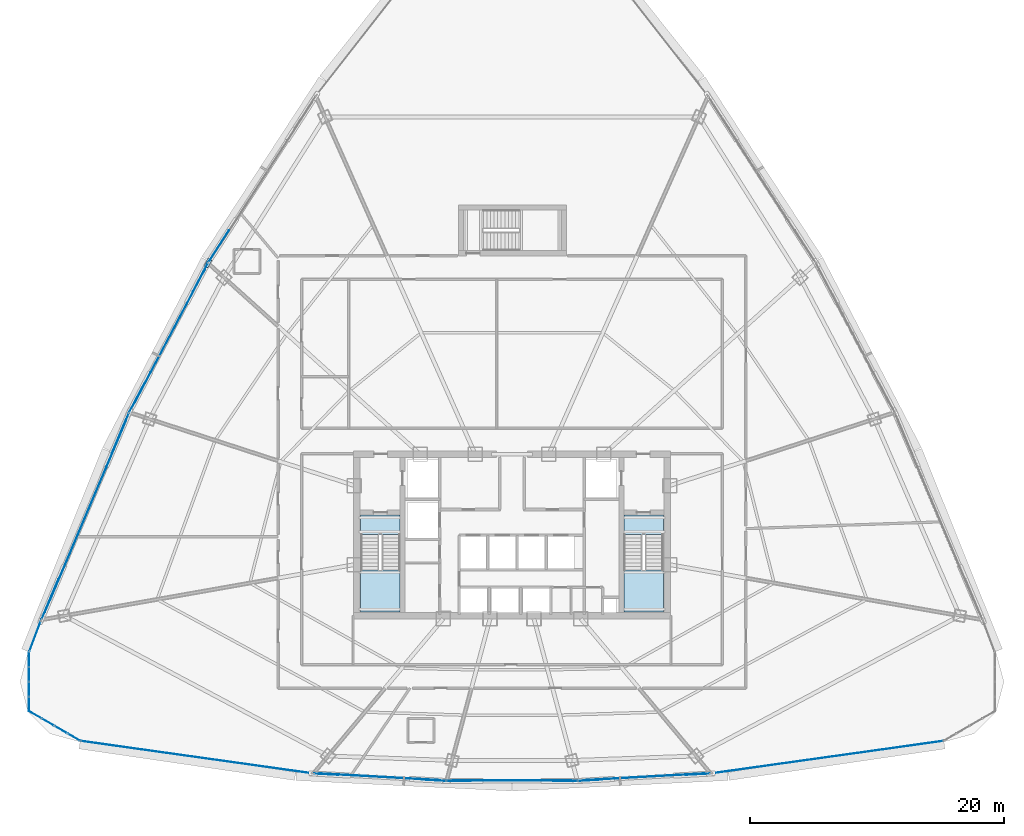
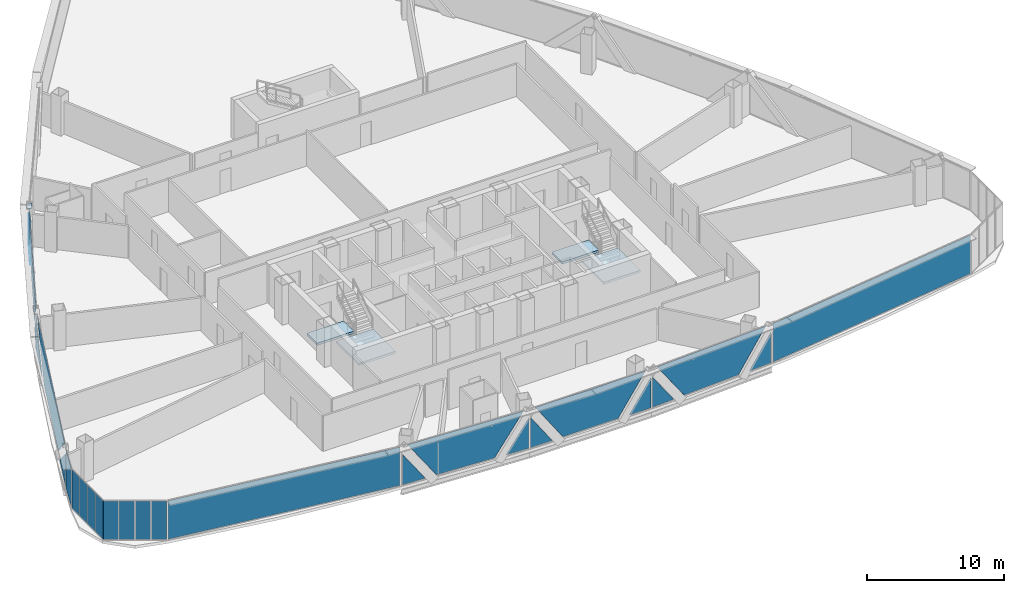
# One storey, part 27 of 38: 28 plates, 4 slabs, 13 elements without a shape of their own.
"""IFC4 building model written with IfcOpenShell, lengths in metres."""

from ifc_helpers import new_model, si_unit, direction, frame, origin, origin_2d, place, context, subcontext, project, spatial, polyline, rectangle, outline, extrude, source, transform, mapped, material, layer, layer_set, type_object, element, aggregate, save


model = new_model("IFC4")

# Units and contexts
model_context = context("Model", 3, precision=1e-05, world=origin(), true_north=direction((0.0, 1.0)))
body_context = subcontext(model_context, "Body", "Model", "MODEL_VIEW")
ifc_project = project(units=[si_unit("LENGTHUNIT", "METRE"), si_unit("AREAUNIT", "SQUARE_METRE"), si_unit("VOLUMEUNIT", "CUBIC_METRE"), si_unit("PLANEANGLEUNIT", "RADIAN"), si_unit("MASSUNIT", "GRAM", prefix="KILO"), si_unit("THERMODYNAMICTEMPERATUREUNIT", "KELVIN"), si_unit("POWERUNIT", "WATT")], contexts=[model_context])

# Site, building, storey
site_placement = place(None, origin())
site = spatial("IfcSite", under=ifc_project, at=site_placement, CompositionType="ELEMENT")
building_placement = place(site_placement, origin())
building = spatial("IfcBuilding", under=site, at=building_placement, Name="Yunzhuo Pagoda Commons", CompositionType="ELEMENT")
storey_placement = place(building_placement, frame((0.0, 0.0, 203.760009765625)))
storey = spatial("IfcBuildingStorey", under=building, at=storey_placement, Name="L51", CompositionType="ELEMENT", Elevation=203.760009765625)

# Curtain wall, plates
ifc_material_1 = material(Name="Anodized aluminium 6063-T6", Category="aluminium")
ifc_layer_1 = layer(ifc_material_1, 0.14990234375)
ifc_layer_set_1 = layer_set([ifc_layer_1], Name="Anodized aluminium 6063-T6")
curtain_wall_type_1 = type_object("IfcCurtainWallType", Name="CW-MID Mid-Zone Ribbon Curtain Wall", PredefinedType="NOTDEFINED", material=ifc_layer_set_1)
curtain_wall_1_placement = place(storey_placement, origin())
curtain_wall_1 = element("IfcCurtainWall", 1, at=curtain_wall_1_placement, inside=storey, type_object=curtain_wall_type_1, Name="L51 curtain wall CW-L51-F1B2", PredefinedType="NOTDEFINED")
ifc_material_2 = material(Name="Tempered low-e double glazing", Category="glass")
ifc_layer_2 = layer(ifc_material_2, 0.028076171875)
ifc_layer_set_2 = layer_set([ifc_layer_2], Name="Tempered low-e double glazing")
plate_type_1 = type_object("IfcPlateType", Name="CW-MID-P Low-E Double Glazing 28", PredefinedType="CURTAIN_PANEL", material=ifc_layer_set_2)
plate_1_placement = place(storey_placement, frame((33.379150390625, 15.04052734375, 1.419677734375), z_axis=(-0.055819443993, -0.998440879408, 0.0), x_axis=(0.998440879408, -0.055819443993, 0.0)))
plate_1 = element("IfcPlate", 2, at=plate_1_placement, type_object=plate_type_1, Name="CW panel 1.1 lite 1", PredefinedType="CURTAIN_PANEL", context=body_context, shape_type="SweptSolid", body=[
    extrude(outline(polyline([(-0.94189453125, -1.364501953125), (0.94189453125, -1.364501953125), (-0.94189453125, 1.364501953125), (-0.94189453125, -1.364501953125)])), origin(), (0.0, 0.0, 1.0), 0.028076171875),
])
plate_2_placement = place(storey_placement, frame((37.61865234375, 14.83349609375, 1.77001953125), z_axis=(-0.055819443993, -0.998440879408, 0.0), x_axis=(0.998440879408, -0.055819443993, 0.0)))
plate_2 = element("IfcPlate", 3, at=plate_2_placement, type_object=plate_type_1, Name="CW panel 1.1 lite 2", PredefinedType="CURTAIN_PANEL", context=body_context, shape_type="SweptSolid", body=[
    extrude(outline(polyline([(-4.74658203125, 1.715087890625), (-2.37890625, -1.715087890625), (2.37890625, -1.715087890625), (4.74658203125, 1.715087890625), (-4.74658203125, 1.715087890625)])), origin(), (0.0, 0.0, 1.0), 0.028076171875),
])
plate_3_placement = place(storey_placement, frame((41.854736328125, 14.566650390625, 1.419677734375), z_axis=(-0.055819443993, -0.998440879408, 0.0), x_axis=(0.998440879408, -0.055819443993, 0.0)))
plate_3 = element("IfcPlate", 4, at=plate_3_placement, type_object=plate_type_1, Name="CW panel 1.1 lite 3", PredefinedType="CURTAIN_PANEL", context=body_context, shape_type="SweptSolid", body=[
    extrude(outline(polyline([(-0.94189453125, -1.364501953125), (0.94189453125, -1.364501953125), (0.94189453125, 1.364501953125), (-0.94189453125, -1.364501953125)])), origin(), (0.0, 0.0, 1.0), 0.028076171875),
])
aggregate(curtain_wall_1, [plate_1, plate_2, plate_3])

curtain_wall_2_placement = place(storey_placement, origin())
curtain_wall_2 = element("IfcCurtainWall", 5, at=curtain_wall_2_placement, inside=storey, type_object=curtain_wall_type_1, Name="L51 curtain wall CW-L51-F1B3", PredefinedType="NOTDEFINED")
plate_4_placement = place(storey_placement, frame((43.834716796875, 14.5107421875, 1.414306640625), z_axis=(0.0, -1.0, 0.0), x_axis=(1.0, 0.0, 0.0)))
plate_4 = element("IfcPlate", 6, at=plate_4_placement, type_object=plate_type_1, Name="CW panel 1.1 lite 1", PredefinedType="CURTAIN_PANEL", context=body_context, shape_type="SweptSolid", body=[
    extrude(outline(polyline([(-0.92041015625, -1.359375), (0.92041015625, -1.359375), (-0.92041015625, 1.359375), (-0.92041015625, -1.359375)])), origin(), (0.0, 0.0, 1.0), 0.028076171875),
])
plate_5_placement = place(storey_placement, frame((48.0, 14.541015625, 1.77001953125), z_axis=(0.0, -1.0, 0.0), x_axis=(1.0, 0.0, 0.0)))
plate_5 = element("IfcPlate", 7, at=plate_5_placement, type_object=plate_type_1, Name="CW panel 1.1 lite 2", PredefinedType="CURTAIN_PANEL", context=body_context, shape_type="SweptSolid", body=[
    extrude(outline(polyline([(-4.6494140625, 1.715087890625), (-2.3271484375, -1.715087890625), (2.3271484375, -1.715087890625), (4.6494140625, 1.715087890625), (-4.6494140625, 1.715087890625)])), origin(), (0.0, 0.0, 1.0), 0.028076171875),
])
plate_6_placement = place(storey_placement, frame((52.165283203125, 14.5107421875, 1.414306640625), z_axis=(0.0, -1.0, 0.0), x_axis=(1.0, 0.0, 0.0)))
plate_6 = element("IfcPlate", 8, at=plate_6_placement, type_object=plate_type_1, Name="CW panel 1.1 lite 3", PredefinedType="CURTAIN_PANEL", context=body_context, shape_type="SweptSolid", body=[
    extrude(outline(polyline([(-0.92041015625, -1.359375), (0.92041015625, -1.359375), (0.92041015625, 1.359375), (-0.92041015625, -1.359375)])), origin(), (0.0, 0.0, 1.0), 0.028076171875),
])
aggregate(curtain_wall_2, [plate_4, plate_5, plate_6])

curtain_wall_3_placement = place(storey_placement, origin())
curtain_wall_3 = element("IfcCurtainWall", 9, at=curtain_wall_3_placement, inside=storey, type_object=curtain_wall_type_1, Name="L51 curtain wall CW-L51-F1B4", PredefinedType="NOTDEFINED")
plate_7_placement = place(storey_placement, frame((54.145263671875, 14.566650390625, 1.419677734375), z_axis=(0.055819443993, -0.998440879408, 0.0), x_axis=(0.998440879408, 0.055819443993, 0.0)))
plate_7 = element("IfcPlate", 10, at=plate_7_placement, type_object=plate_type_1, Name="CW panel 1.1 lite 1", PredefinedType="CURTAIN_PANEL", context=body_context, shape_type="SweptSolid", body=[
    extrude(outline(polyline([(-0.94189453125, -1.364501953125), (0.94189453125, -1.364501953125), (-0.94189453125, 1.364501953125), (-0.94189453125, -1.364501953125)])), origin(), (0.0, 0.0, 1.0), 0.028076171875),
])
plate_8_placement = place(storey_placement, frame((58.38134765625, 14.83349609375, 1.77001953125), z_axis=(0.055819443993, -0.998440879408, 0.0), x_axis=(0.998440879408, 0.055819443993, 0.0)))
plate_8 = element("IfcPlate", 11, at=plate_8_placement, type_object=plate_type_1, Name="CW panel 1.1 lite 2", PredefinedType="CURTAIN_PANEL", context=body_context, shape_type="SweptSolid", body=[
    extrude(outline(polyline([(-4.74658203125, 1.715087890625), (-2.37890625, -1.715087890625), (2.37890625, -1.715087890625), (4.74658203125, 1.715087890625), (-4.74658203125, 1.715087890625)])), origin(), (0.0, 0.0, 1.0), 0.028076171875),
])
plate_9_placement = place(storey_placement, frame((62.620849609375, 15.04052734375, 1.419677734375), z_axis=(0.055819443993, -0.998440879408, 0.0), x_axis=(0.998440879408, 0.055819443993, 0.0)))
plate_9 = element("IfcPlate", 12, at=plate_9_placement, type_object=plate_type_1, Name="CW panel 1.1 lite 3", PredefinedType="CURTAIN_PANEL", context=body_context, shape_type="SweptSolid", body=[
    extrude(outline(polyline([(-0.94189453125, -1.364501953125), (0.94189453125, -1.364501953125), (0.94189453125, 1.364501953125), (-0.94189453125, -1.364501953125)])), origin(), (0.0, 0.0, 1.0), 0.028076171875),
])
aggregate(curtain_wall_3, [plate_7, plate_8, plate_9])

# Curtain wall, plate
curtain_wall_4_placement = place(storey_placement, origin())
curtain_wall_4 = element("IfcCurtainWall", 13, at=curtain_wall_4_placement, inside=storey, type_object=curtain_wall_type_1, Name="L51 curtain wall CW-L51-F3B2", PredefinedType="NOTDEFINED")
plate_10_placement = place(storey_placement, frame((24.939208984375, 56.525146484375, 1.503173828125), z_axis=(-0.839965077478, 0.542640459805, 0.0), x_axis=(-0.542640459805, -0.839965077478, 0.0)))
plate_10 = element("IfcPlate", 14, at=plate_10_placement, type_object=plate_type_1, Name="CW panel 1.1 lite 3", PredefinedType="CURTAIN_PANEL", context=body_context, shape_type="SweptSolid", body=[
    extrude(outline(polyline([(-1.4892578125, -1.4482421875), (1.4892578125, -1.4482421875), (1.4892578125, 1.4482421875), (-1.4892578125, -1.4482421875)])), origin(), (0.0, 0.0, 1.0), 0.028076171875),
])
aggregate(curtain_wall_4, [plate_10])

# Curtain wall, plates
curtain_wall_5_placement = place(storey_placement, origin())
curtain_wall_5 = element("IfcCurtainWall", 15, at=curtain_wall_5_placement, inside=storey, type_object=curtain_wall_type_1, Name="L51 curtain wall CW-L51-F3B3", PredefinedType="NOTDEFINED")
plate_11_placement = place(storey_placement, frame((23.492919921875, 54.07470703125, 1.474365234375), z_axis=(-0.884591690585, 0.466366316267, 0.0), x_axis=(-0.466366316267, -0.884591690585, 0.0)))
plate_11 = element("IfcPlate", 16, at=plate_11_placement, type_object=plate_type_1, Name="CW panel 1.1 lite 1", PredefinedType="CURTAIN_PANEL", context=body_context, shape_type="SweptSolid", body=[
    extrude(outline(polyline([(-1.240234375, -1.41943359375), (1.240234375, -1.41943359375), (-1.240234375, 1.41943359375), (-1.240234375, -1.41943359375)])), origin(), (0.0, 0.0, 1.0), 0.028076171875),
])
plate_12_placement = place(storey_placement, frame((21.028564453125, 49.33642578125, 1.77001953125), z_axis=(-0.884591690585, 0.466366316267, 0.0), x_axis=(-0.466366316267, -0.884591690585, 0.0)))
plate_12 = element("IfcPlate", 17, at=plate_12_placement, type_object=plate_type_1, Name="CW panel 1.1 lite 2", PredefinedType="CURTAIN_PANEL", context=body_context, shape_type="SweptSolid", body=[
    extrude(outline(polyline([(-6.088134765625, 1.715087890625), (-3.091064453125, -1.715087890625), (3.091064453125, -1.715087890625), (6.088134765625, 1.715087890625), (-6.088134765625, 1.715087890625)])), origin(), (0.0, 0.0, 1.0), 0.028076171875),
])
plate_13_placement = place(storey_placement, frame((18.511474609375, 44.626220703125, 1.474365234375), z_axis=(-0.884591690585, 0.466366316267, 0.0), x_axis=(-0.466366316267, -0.884591690585, 0.0)))
plate_13 = element("IfcPlate", 18, at=plate_13_placement, type_object=plate_type_1, Name="CW panel 1.1 lite 3", PredefinedType="CURTAIN_PANEL", context=body_context, shape_type="SweptSolid", body=[
    extrude(outline(polyline([(-1.240234375, -1.41943359375), (1.240234375, -1.41943359375), (1.240234375, 1.41943359375), (-1.240234375, -1.41943359375)])), origin(), (0.0, 0.0, 1.0), 0.028076171875),
])
aggregate(curtain_wall_5, [plate_11, plate_12, plate_13])

curtain_wall_6_placement = place(storey_placement, origin())
curtain_wall_6 = element("IfcCurtainWall", 19, at=curtain_wall_6_placement, inside=storey, type_object=curtain_wall_type_1, Name="L51 curtain wall CW-L51-F3B4", PredefinedType="NOTDEFINED")
plate_14_placement = place(storey_placement, frame((17.2158203125, 41.8486328125, 1.521484375), z_axis=(-0.920824274127, 0.389977763697, 0.0), x_axis=(-0.389977763697, -0.920824274127, 0.0)))
plate_14 = element("IfcPlate", 20, at=plate_14_placement, type_object=plate_type_1, Name="CW panel 1.1 lite 1", PredefinedType="CURTAIN_PANEL", context=body_context, shape_type="SweptSolid", body=[
    extrude(outline(polyline([(-1.708740234375, -1.46630859375), (1.708740234375, -1.46630859375), (-1.708740234375, 1.46630859375), (-1.708740234375, -1.46630859375)])), origin(), (0.0, 0.0, 1.0), 0.028076171875),
])
plate_15_placement = place(storey_placement, frame((14.479736328125, 35.310791015625, 1.77001953125), z_axis=(-0.920824274127, 0.389977763697, 0.0), x_axis=(-0.389977763697, -0.920824274127, 0.0)))
plate_15 = element("IfcPlate", 21, at=plate_15_placement, type_object=plate_type_1, Name="CW panel 1.1 lite 2", PredefinedType="CURTAIN_PANEL", context=body_context, shape_type="SweptSolid", body=[
    extrude(outline(polyline([(-8.208251953125, 1.715087890625), (-4.21142578125, -1.715087890625), (4.21142578125, -1.715087890625), (8.208251953125, 1.715087890625), (-8.208251953125, 1.715087890625)])), origin(), (0.0, 0.0, 1.0), 0.028076171875),
])
plate_16_placement = place(storey_placement, frame((11.688232421875, 28.796630859375, 1.521484375), z_axis=(-0.920824274127, 0.389977763697, 0.0), x_axis=(-0.389977763697, -0.920824274127, 0.0)))
plate_16 = element("IfcPlate", 22, at=plate_16_placement, type_object=plate_type_1, Name="CW panel 1.1 lite 3", PredefinedType="CURTAIN_PANEL", context=body_context, shape_type="SweptSolid", body=[
    extrude(outline(polyline([(-1.708740234375, -1.46630859375), (1.708740234375, -1.46630859375), (1.708740234375, 1.46630859375), (-1.708740234375, -1.46630859375)])), origin(), (0.0, 0.0, 1.0), 0.028076171875),
])
aggregate(curtain_wall_6, [plate_14, plate_15, plate_16])

# Stair, slabs
ifc_material_3 = material(Name="Concrete C40", Category="concrete")
stair_type_1 = type_object("IfcStairType", Name="ST-C1 Core Smokeproof Stair ST1", PredefinedType="HALF_TURN_STAIR", material=ifc_material_3)
stair_1_placement = place(storey_placement, origin())
stair_1 = element("IfcStair", 23, at=stair_1_placement, inside=storey, type_object=stair_type_1, Name="L51 Core smokeproof stair ST1", PredefinedType="HALF_TURN_STAIR")
ifc_layer_3 = layer(ifc_material_3, 0.199951171875)
ifc_layer_set_3 = layer_set([ifc_layer_3], Name="Concrete C40")
slab_type_1 = type_object("IfcSlabType", Name="SL-LND1 Stair Landing Slab 200", PredefinedType="LANDING", material=ifc_layer_set_3)
slab_1_placement = place(storey_placement, frame((0.0, 0.0, 1.699951171875)))
slab_1 = element("IfcSlab", 24, at=slab_1_placement, type_object=slab_type_1, Name="ST1 landing 1", PredefinedType="LANDING", context=body_context, shape_type="SweptSolid", body=[
    extrude(outline(polyline([(36.10009765625, 31.10009765625), (36.10009765625, 27.800048828125), (39.199951171875, 27.800048828125), (39.199951171875, 31.10009765625), (36.10009765625, 31.10009765625)])), origin(), (0.0, 0.0, 1.0), 0.199951171875),
])
slab_2_placement = place(storey_placement, frame((0.0, 0.0, -0.199951171875)))
slab_2 = element("IfcSlab", 25, at=slab_2_placement, type_object=slab_type_1, Name="ST1 floor landing L51", PredefinedType="LANDING", context=body_context, shape_type="SweptSolid", body=[
    extrude(outline(polyline([(36.10009765625, 35.39990234375), (36.10009765625, 33.89990234375), (39.199951171875, 33.89990234375), (39.199951171875, 35.39990234375), (36.10009765625, 35.39990234375)])), origin(), (0.0, 0.0, 1.0), 0.199951171875),
])
aggregate(stair_1, [slab_1, slab_2])

stair_type_2 = type_object("IfcStairType", Name="ST-C2 Core Smokeproof Stair ST2", PredefinedType="HALF_TURN_STAIR", material=ifc_material_3)
stair_2_placement = place(storey_placement, origin())
stair_2 = element("IfcStair", 26, at=stair_2_placement, inside=storey, type_object=stair_type_2, Name="L51 Core smokeproof stair ST2", PredefinedType="HALF_TURN_STAIR")
ifc_layer_4 = layer(ifc_material_3, 0.201904296875)
ifc_layer_set_4 = layer_set([ifc_layer_4], Name="Concrete C40")
slab_type_2 = type_object("IfcSlabType", Name="SL-LND2 Stair Landing Slab 202", PredefinedType="LANDING", material=ifc_layer_set_4)
slab_3_placement = place(storey_placement, frame((0.0, 0.0, 1.699951171875)))
slab_3 = element("IfcSlab", 27, at=slab_3_placement, type_object=slab_type_2, Name="ST2 landing 1", PredefinedType="LANDING", context=body_context, shape_type="SweptSolid", body=[
    extrude(outline(polyline([(56.800048828125, 31.10009765625), (56.800048828125, 27.800048828125), (59.89990234375, 27.800048828125), (59.89990234375, 31.10009765625), (56.800048828125, 31.10009765625)])), origin(), (0.0, 0.0, 1.0), 0.199951171875),
])
slab_4_placement = place(storey_placement, frame((0.0, 0.0, -0.199951171875)))
slab_4 = element("IfcSlab", 28, at=slab_4_placement, type_object=slab_type_2, Name="ST2 floor landing L51", PredefinedType="LANDING", context=body_context, shape_type="SweptSolid", body=[
    extrude(outline(polyline([(56.800048828125, 35.39990234375), (56.800048828125, 33.89990234375), (59.89990234375, 33.89990234375), (59.89990234375, 35.39990234375), (56.800048828125, 35.39990234375)])), origin(), (0.0, 0.0, 1.0), 0.199951171875),
])
aggregate(stair_2, [slab_3, slab_4])

# Plate
ifc_material_4 = material(Name="Structural steel Q355B", Category="steel")
ifc_layer_5 = layer(ifc_material_4, 0.028076171875)
ifc_layer_set_5 = layer_set([ifc_layer_5], Name="Structural steel Q355B")
plate_type_2 = type_object("IfcPlateType", Name="SP-ND1 Lattice Node Cap Plate 800x500x28", PredefinedType="USERDEFINED", material=ifc_layer_set_5)
shared_shape_1 = source(origin(), body_context, "Body", "SweptSolid", [
    extrude(rectangle(XDim=0.699951171875, YDim=0.35009765625, at=origin_2d()), origin(), (0.0, 0.0, 1.0), 0.035888671875),
])
plate_17_placement = place(storey_placement, frame((24.0869140625, 55.2314453125, 3.501953125), z_axis=(0.0, 0.0, 1.0), x_axis=(-0.466371201418, -0.884589115063, 0.0)))
element("IfcPlate", 29, at=plate_17_placement, inside=storey, type_object=plate_type_2, Name="L51 setback lattice tie plate F3.2L", ObjectType="STIFFENER_PLATE", PredefinedType="USERDEFINED", context=body_context, shape_type="MappedRepresentation", body=[
    mapped(shared_shape_1, transform((0.0, 0.0, 0.0), scale=1.0)),
])

# Curtain wall, plate
curtain_wall_7_placement = place(storey_placement, origin())
curtain_wall_7 = element("IfcCurtainWall", 30, at=curtain_wall_7_placement, inside=storey, type_object=curtain_wall_type_1, Name="L51 curtain wall CW-L51-F1B1", PredefinedType="NOTDEFINED")
shared_shape_2 = source(origin(), body_context, "Body", "SweptSolid", [
    extrude(rectangle(XDim=18.3125, YDim=0.028076171875, at=origin_2d()), origin(), (0.0, 0.0, 1.0), 3.429931640625),
])
plate_18_placement = place(storey_placement, frame((23.1767578125, 16.372314453125, 0.05517578125), z_axis=(0.0, 0.0, 1.0), x_axis=(0.990317700531, -0.138819494362, 0.0)))
plate_18 = element("IfcPlate", 31, at=plate_18_placement, type_object=plate_type_1, Name="CW panel 1.1", PredefinedType="CURTAIN_PANEL", context=body_context, shape_type="MappedRepresentation", body=[
    mapped(shared_shape_2, transform((0.0, 0.0, 0.0), scale=1.0)),
])
aggregate(curtain_wall_7, [plate_18])

curtain_wall_8_placement = place(storey_placement, origin())
curtain_wall_8 = element("IfcCurtainWall", 32, at=curtain_wall_8_placement, inside=storey, type_object=curtain_wall_type_1, Name="L51 curtain wall CW-L51-F1B5", PredefinedType="NOTDEFINED")
plate_19_placement = place(storey_placement, frame((72.8232421875, 16.372314453125, 0.05517578125), z_axis=(0.0, 0.0, 1.0), x_axis=(0.990317700531, 0.138819494362, 0.0)))
plate_19 = element("IfcPlate", 33, at=plate_19_placement, type_object=plate_type_1, Name="CW panel 1.1", PredefinedType="CURTAIN_PANEL", context=body_context, shape_type="MappedRepresentation", body=[
    mapped(shared_shape_2, transform((0.0, 0.0, 0.0), scale=1.0)),
])
aggregate(curtain_wall_8, [plate_19])

curtain_wall_9_placement = place(storey_placement, origin())
curtain_wall_9 = element("IfcCurtainWall", 34, at=curtain_wall_9_placement, inside=storey, type_object=curtain_wall_type_1, Name="L51 curtain wall CW-L51-F3B5", PredefinedType="NOTDEFINED")
shared_shape_3 = source(origin(), body_context, "Body", "SweptSolid", [
    extrude(rectangle(XDim=2.50048828125, YDim=0.028076171875, at=origin_2d()), origin(), (0.0, 0.0, 1.0), 3.429931640625),
])
plate_20_placement = place(storey_placement, frame((10.494384765625, 25.878173828125, 0.05517578125), z_axis=(0.0, 0.0, 1.0), x_axis=(-0.354558749116, -0.935033739191, 0.0)))
plate_20 = element("IfcPlate", 35, at=plate_20_placement, type_object=plate_type_1, Name="CW panel 1.1", PredefinedType="CURTAIN_PANEL", context=body_context, shape_type="MappedRepresentation", body=[
    mapped(shared_shape_3, transform((0.0, 0.0, 0.0), scale=1.0)),
])
aggregate(curtain_wall_9, [plate_20])

# Curtain wall, plates
ifc_layer_6 = layer(ifc_material_1, 0.1298828125)
ifc_layer_set_6 = layer_set([ifc_layer_6], Name="Anodized aluminium 6063-T6")
curtain_wall_type_2 = type_object("IfcCurtainWallType", Name="CW-VTX Rounded Corner Curtain Wall", PredefinedType="NOTDEFINED", material=ifc_layer_set_6)
curtain_wall_10_placement = place(storey_placement, origin())
curtain_wall_10 = element("IfcCurtainWall", 36, at=curtain_wall_10_placement, inside=storey, type_object=curtain_wall_type_2, Name="L51 curtain wall CW-L51-VTX1S1", PredefinedType="NOTDEFINED")
ifc_layer_7 = layer(ifc_material_2, 0.02587890625)
ifc_layer_set_7 = layer_set([ifc_layer_7], Name="Tempered low-e double glazing")
plate_type_3 = type_object("IfcPlateType", Name="CW-VTX-P Low-E Double Glazing 26", PredefinedType="CURTAIN_PANEL", material=ifc_layer_set_7)
shared_shape_4 = source(origin(), body_context, "Body", "SweptSolid", [
    extrude(rectangle(XDim=1.09521484375, YDim=0.028076171875, at=origin_2d()), origin(), (0.0, 0.0, 1.0), 3.429931640625),
])
plate_21_placement = place(storey_placement, frame((10.027587890625, 24.050537109375, 0.05517578125), z_axis=(0.0, 0.0, 1.0), x_axis=(-0.00358763029, -0.999993564434, 0.0)))
plate_21 = element("IfcPlate", 37, at=plate_21_placement, type_object=plate_type_3, Name="CW panel 1.1", PredefinedType="CURTAIN_PANEL", context=body_context, shape_type="MappedRepresentation", body=[
    mapped(shared_shape_4, transform((0.0, 0.0, 0.0), scale=1.0)),
])
plate_22_placement = place(storey_placement, frame((10.01513671875, 20.544921875, 0.05517578125), z_axis=(0.0, 0.0, 1.0), x_axis=(-0.00358763029, -0.999993564434, 0.0)))
plate_22 = element("IfcPlate", 38, at=plate_22_placement, type_object=plate_type_3, Name="CW panel 4.1", PredefinedType="CURTAIN_PANEL", context=body_context, shape_type="MappedRepresentation", body=[
    mapped(shared_shape_4, transform((0.0, 0.0, 0.0), scale=1.0)),
])

curtain_wall_11_placement = place(storey_placement, origin())
curtain_wall_11 = element("IfcCurtainWall", 39, at=curtain_wall_11_placement, inside=storey, type_object=curtain_wall_type_2, Name="L51 curtain wall CW-L51-VTX1S2", PredefinedType="NOTDEFINED")
plate_23_placement = place(storey_placement, frame((10.494384765625, 19.7099609375, 0.05517578125), z_axis=(0.0, 0.0, 1.0), x_axis=(0.865425801013, -0.50103710735, 0.0)))
plate_23 = element("IfcPlate", 40, at=plate_23_placement, type_object=plate_type_3, Name="CW panel 1.1", PredefinedType="CURTAIN_PANEL", context=body_context, shape_type="MappedRepresentation", body=[
    mapped(shared_shape_4, transform((0.0, 0.0, 0.0), scale=1.0)),
])
plate_24_placement = place(storey_placement, frame((13.5283203125, 17.95361328125, 0.05517578125), z_axis=(0.0, 0.0, 1.0), x_axis=(0.865425801013, -0.50103710735, 0.0)))
plate_24 = element("IfcPlate", 41, at=plate_24_placement, type_object=plate_type_3, Name="CW panel 4.1", PredefinedType="CURTAIN_PANEL", context=body_context, shape_type="MappedRepresentation", body=[
    mapped(shared_shape_4, transform((0.0, 0.0, 0.0), scale=1.0)),
])

# Plate
shared_shape_5 = source(origin(), body_context, "Body", "SweptSolid", [
    extrude(rectangle(XDim=1.12255859375, YDim=0.028076171875, at=origin_2d()), origin(), (0.0, 0.0, 1.0), 3.429931640625),
])
plate_25_placement = place(storey_placement, frame((10.0234375, 22.886474609375, 0.05517578125), z_axis=(0.0, 0.0, 1.0), x_axis=(-0.00358763029, -0.999993564434, 0.0)))
plate_25 = element("IfcPlate", 42, at=plate_25_placement, type_object=plate_type_3, Name="CW panel 2.1", PredefinedType="CURTAIN_PANEL", context=body_context, shape_type="MappedRepresentation", body=[
    mapped(shared_shape_5, transform((0.0, 0.0, 0.0), scale=1.0)),
])

plate_26_placement = place(storey_placement, frame((10.019287109375, 21.708984375, 0.05517578125), z_axis=(0.0, 0.0, 1.0), x_axis=(-0.00358763029, -0.999993564434, 0.0)))
plate_26 = element("IfcPlate", 43, at=plate_26_placement, type_object=plate_type_3, Name="CW panel 3.1", PredefinedType="CURTAIN_PANEL", context=body_context, shape_type="MappedRepresentation", body=[
    mapped(shared_shape_5, transform((0.0, 0.0, 0.0), scale=1.0)),
])

aggregate(curtain_wall_10, [plate_21, plate_25, plate_26, plate_22])

plate_27_placement = place(storey_placement, frame((11.501708984375, 19.126708984375, 0.05517578125), z_axis=(0.0, 0.0, 1.0), x_axis=(0.865425801013, -0.50103710735, 0.0)))
plate_27 = element("IfcPlate", 44, at=plate_27_placement, type_object=plate_type_3, Name="CW panel 2.1", PredefinedType="CURTAIN_PANEL", context=body_context, shape_type="MappedRepresentation", body=[
    mapped(shared_shape_5, transform((0.0, 0.0, 0.0), scale=1.0)),
])

plate_28_placement = place(storey_placement, frame((12.52099609375, 18.536865234375, 0.05517578125), z_axis=(0.0, 0.0, 1.0), x_axis=(0.865425801013, -0.50103710735, 0.0)))
plate_28 = element("IfcPlate", 45, at=plate_28_placement, type_object=plate_type_3, Name="CW panel 3.1", PredefinedType="CURTAIN_PANEL", context=body_context, shape_type="MappedRepresentation", body=[
    mapped(shared_shape_5, transform((0.0, 0.0, 0.0), scale=1.0)),
])

aggregate(curtain_wall_11, [plate_23, plate_27, plate_28, plate_24])

save(model, "model.ifc")
